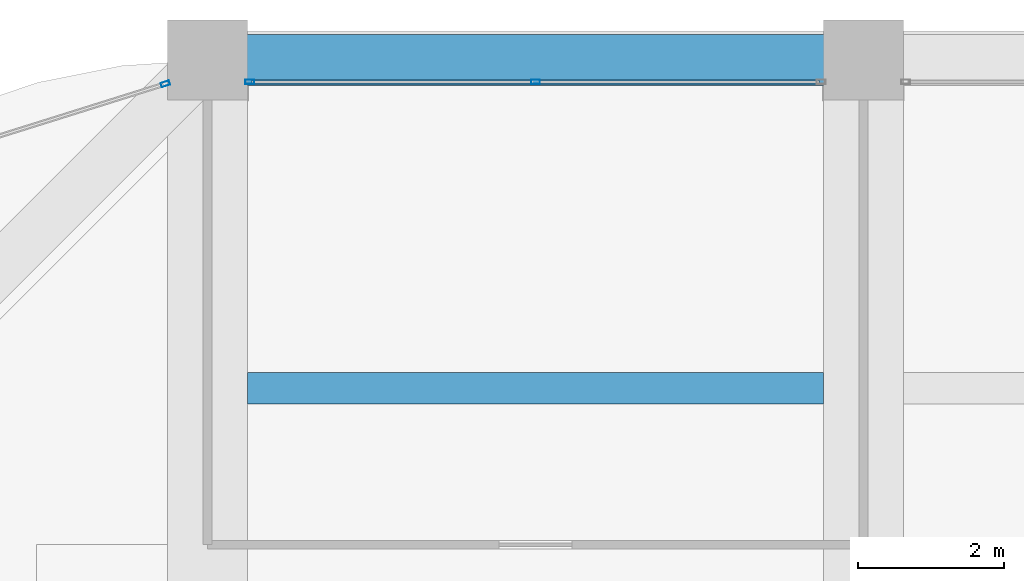
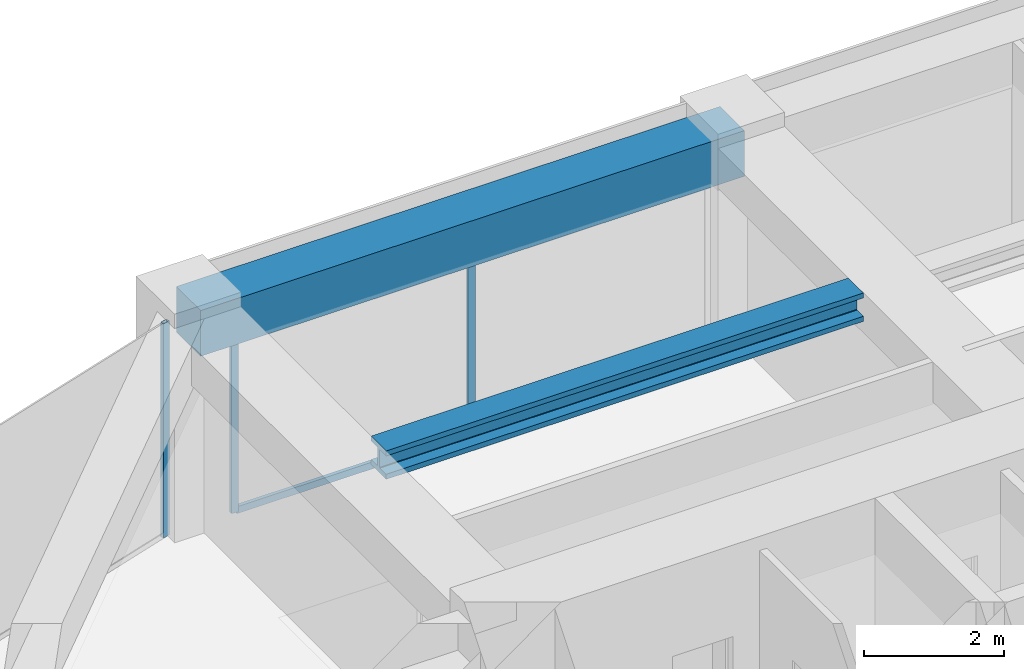
# One storey, part 31 of 44: 4 members, 2 beams, 2 elements without a shape of their own.
"""IFC4 building model written with IfcOpenShell, lengths in metres."""

import ifcopenshell
import ifcopenshell.guid

model = None  # the IFC model being written
_history = None  # IfcOwnerHistory: only IFC2X3 demands one
_inside = {}  # id of a spatial element -> (the spatial element, [elements in it])
_under = {}  # id of a project, library or spatial element -> (it, [spatial elements below it])
_declared = {}  # id of a project -> (the project, [libraries it declares])
_typed = {}  # id of a type object -> (the type object, [elements of that type])
_made_of = {}  # id of a material, layer set ... -> (it, [elements and type objects made of it])


def new_model(schema):
    """Start an empty IFC model of exactly this schema.

    Asked for "IFC4X3", IfcOpenShell would pick the latest addendum, in which some entities
    have other attributes; the version numbers below select the first issue.
    IFC2X3 requires an IfcOwnerHistory on every rooted entity: one is made here for all.
    """
    global model, _history
    if schema == "IFC4X3":
        model = ifcopenshell.file(schema_version=(4, 3, 0, 0))
    else:
        model = ifcopenshell.file(schema=schema)
    _inside.clear()
    _under.clear()
    _declared.clear()
    _typed.clear()
    _made_of.clear()
    _history = None
    if model.schema == "IFC2X3":
        org = make("IfcOrganization", Name="unknown")
        user = make(
            "IfcPersonAndOrganization",
            ThePerson=make("IfcPerson", FamilyName="unknown"),
            TheOrganization=org,
        )
        app = make(
            "IfcApplication",
            ApplicationDeveloper=org,
            Version="unknown",
            ApplicationFullName="unknown",
            ApplicationIdentifier="unknown",
        )
        _history = make(
            "IfcOwnerHistory",
            OwningUser=user,
            OwningApplication=app,
            ChangeAction="ADDED",
            CreationDate=0,
        )
    return model


def make(cls, **values):
    """One entity of the class cls with the attributes given. An attribute that is None is left unset."""
    return model.create_entity(
        cls, **{name: value for name, value in values.items() if value is not None}
    )


def rooted(cls, **values):
    """An entity with a GlobalId (a new one), such as an element, a storey or a relation."""
    return make(cls, GlobalId=ifcopenshell.guid.new(), OwnerHistory=_history, **values)


def si_unit(unit_type, name, prefix=None):
    """IfcSIUnit, for example si_unit("LENGTHUNIT", "METRE", prefix="MILLI")."""
    return make("IfcSIUnit", UnitType=unit_type, Prefix=prefix, Name=name)


def assignment(units):
    """IfcUnitAssignment: the units of a project."""
    return None if units is None else make("IfcUnitAssignment", Units=units)


def point(xyz):
    """IfcCartesianPoint."""
    return None if xyz is None else make("IfcCartesianPoint", Coordinates=xyz)


def direction(xyz):
    """IfcDirection."""
    return None if xyz is None else make("IfcDirection", DirectionRatios=xyz)


def frame(location, z_axis=None, x_axis=None):
    """IfcAxis2Placement3D, a coordinate frame: its origin and axes. An axis left out is left unset."""
    return make(
        "IfcAxis2Placement3D",
        Location=point(location),
        Axis=direction(z_axis),
        RefDirection=direction(x_axis),
    )


def frame_2d(location, x_axis=None):
    """IfcAxis2Placement2D, a coordinate frame in the plane: its origin and x axis."""
    return make(
        "IfcAxis2Placement2D", Location=point(location), RefDirection=direction(x_axis)
    )


def origin():
    """The frame at (0, 0, 0) with its axes left unset."""
    return frame((0.0, 0.0, 0.0))


def origin_2d():
    """The frame at (0, 0) in the plane with its x axis left unset."""
    return frame_2d((0.0, 0.0))


def place(relative_to, where):
    """IfcLocalPlacement: puts the frame where relative to a parent placement (None: the world)."""
    return make(
        "IfcLocalPlacement", PlacementRelTo=relative_to, RelativePlacement=where
    )


def context(
    kind, dimensions, precision=None, world=None, true_north=None, identifier=None
):
    """IfcGeometricRepresentationContext, for example the 3D "Model" context."""
    return make(
        "IfcGeometricRepresentationContext",
        ContextIdentifier=identifier,
        ContextType=kind,
        CoordinateSpaceDimension=dimensions,
        Precision=precision,
        WorldCoordinateSystem=world,
        TrueNorth=true_north,
    )


def subcontext(parent, identifier, kind, view, scale=None):
    """IfcGeometricRepresentationSubContext, for example "Body" below "Model"."""
    return make(
        "IfcGeometricRepresentationSubContext",
        ContextIdentifier=identifier,
        ContextType=kind,
        ParentContext=parent,
        TargetScale=scale,
        TargetView=view,
    )


def project(units=None, contexts=None):
    """IfcProject with its units and contexts."""
    return rooted(
        "IfcProject",
        Name="project",
        RepresentationContexts=contexts,
        UnitsInContext=assignment(units),
    )


def spatial(cls, under=None, at=None, **own):
    """A site, building, storey or space (cls), placed at a placement, below another one or the project."""
    s = rooted(cls, ObjectPlacement=at, **own)
    if under is not None:
        _under.setdefault(under.id(), (under, []))[1].append(s)
    return s


def profile(cls, at=None, kind="AREA", **sizes):
    """A parametric profile (cls). Its sizes go by their IFC names, for example OverallWidth=200.0."""
    return make(cls, ProfileType=kind, Position=at, **sizes)


def rectangle(**sizes):
    """IfcRectangleProfileDef."""
    return profile("IfcRectangleProfileDef", **sizes)


def hollow_rectangle(**sizes):
    """IfcRectangleHollowProfileDef."""
    return profile("IfcRectangleHollowProfileDef", **sizes)


def i_section(**sizes):
    """IfcIShapeProfileDef."""
    return profile("IfcIShapeProfileDef", **sizes)


def extrude(swept, where, along, depth):
    """IfcExtrudedAreaSolid: the profile swept, set in the frame where, extruded along a direction by depth."""
    return make(
        "IfcExtrudedAreaSolid",
        SweptArea=swept,
        Position=where,
        ExtrudedDirection=direction(along),
        Depth=depth,
    )


def shape(context_of_items, identifier, shape_type, items):
    """IfcShapeRepresentation: the items that make up one representation, for example the "Body"."""
    return make(
        "IfcShapeRepresentation",
        ContextOfItems=context_of_items,
        RepresentationIdentifier=identifier,
        RepresentationType=shape_type,
        Items=items,
    )


def material(Name=None, Category=None):
    """IfcMaterial."""
    return make("IfcMaterial", Name=Name, Category=Category)


def material_profile(
    of_material, cross_section, Name=None, Category=None, Priority=None
):
    """IfcMaterialProfile: a cross section and its material."""
    return make(
        "IfcMaterialProfile",
        Name=Name,
        Material=of_material,
        Profile=cross_section,
        Priority=Priority,
        Category=Category,
    )


def profile_set(profiles, Name=None, composite=None):
    """IfcMaterialProfileSet."""
    return make(
        "IfcMaterialProfileSet",
        Name=Name,
        MaterialProfiles=profiles,
        CompositeProfile=composite,
    )


def made_of(thing, what):
    """Note that an element or type object is made of a material, layer set ...; save() writes the relation."""
    if what is not None:
        _made_of.setdefault(what.id(), (what, []))[1].append(thing)
    return thing


def type_object(cls, material=None, **own):
    """A type object (cls), such as IfcWallType, which elements share."""
    return made_of(rooted(cls, **own), material)


def element(
    cls,
    number,
    at=None,
    inside=None,
    cuts=None,
    type_object=None,
    material=None,
    context=None,
    identifier="Body",
    shape_type=None,
    held_by="IfcProductDefinitionShape",
    body=None,
    shapes=None,
    **own,
):
    """One element of the class cls, such as IfcWall. Its Tag is "e" and its number.

    at: its placement. inside: the storey or other place that contains it. cuts: it is an
    opening in that element (IfcRelVoidsElement). A single representation is given by context,
    identifier, shape_type and body (its items); several are given by shapes. held_by: the class
    of the entity that holds the representations. save() writes the other relations.
    """
    e = rooted(cls, Tag="e%d" % number, ObjectPlacement=at, **own)
    if body is not None:
        shapes = [shape(context, identifier, shape_type, body)]
    if shapes is not None:
        e.Representation = make(held_by, Representations=shapes)
    if inside is not None:
        _inside.setdefault(inside.id(), (inside, []))[1].append(e)
    if cuts is not None:
        rooted(
            "IfcRelVoidsElement", RelatingBuildingElement=cuts, RelatedOpeningElement=e
        )
    if type_object is not None:
        _typed.setdefault(type_object.id(), (type_object, []))[1].append(e)
    return made_of(e, material)


def aggregate(whole, parts):
    """IfcRelAggregates: a whole, such as a stair, and the parts it consists of."""
    return rooted("IfcRelAggregates", RelatingObject=whole, RelatedObjects=parts)


def save(model, path):
    """Write the relations noted so far, then the file.

    IfcRelAggregates (storeys below a building ...), IfcRelContainedInSpatialStructure (elements
    in a storey), IfcRelDefinesByType, IfcRelAssociatesMaterial and IfcRelDeclares: one each for
    every whole, place, type object, material and project.
    """
    for whole, parts in _under.values():
        aggregate(whole, parts)
    for where, things in _inside.values():
        rooted(
            "IfcRelContainedInSpatialStructure",
            RelatedElements=things,
            RelatingStructure=where,
        )
    for kind, things in _typed.values():
        rooted("IfcRelDefinesByType", RelatedObjects=things, RelatingType=kind)
    for what, things in _made_of.values():
        rooted("IfcRelAssociatesMaterial", RelatedObjects=things, RelatingMaterial=what)
    for by, libraries in _declared.values():
        rooted("IfcRelDeclares", RelatingContext=by, RelatedDefinitions=libraries)
    model.write(path)


model = new_model("IFC4")

# Units and contexts
model_context = context("Model", 3, precision=1e-05, world=origin(), true_north=direction((0.0, 1.0)))
body_context = subcontext(model_context, "Body", "Model", "MODEL_VIEW")
ifc_project = project(units=[si_unit("LENGTHUNIT", "METRE"), si_unit("AREAUNIT", "SQUARE_METRE"), si_unit("VOLUMEUNIT", "CUBIC_METRE"), si_unit("PLANEANGLEUNIT", "RADIAN"), si_unit("MASSUNIT", "GRAM", prefix="KILO")], contexts=[model_context])

# Site, building, storey
site_placement = place(None, origin())
site = spatial("IfcSite", under=ifc_project, at=site_placement, CompositionType="ELEMENT")
building_placement = place(site_placement, origin())
building = spatial("IfcBuilding", under=site, at=building_placement, Name="Zorevar Civic Tower", CompositionType="ELEMENT")
storey_placement = place(building_placement, frame((0.0, 0.0, 255.39990234375)))
storey = spatial("IfcBuildingStorey", under=building, at=storey_placement, Name="L62", CompositionType="ELEMENT", Elevation=255.39990234375)

# Curtain wall, members
ifc_material_1 = material(Name="Dark grey solar-control glass in black aluminium frame", Category="aluminium")
curtain_wall_type = type_object("IfcCurtainWallType", Name="Curtain wall CW5 top zone", PredefinedType="NOTDEFINED", material=ifc_material_1)
curtain_wall_1_placement = place(storey_placement, origin())
curtain_wall_1 = element("IfcCurtainWall", 1, at=curtain_wall_1_placement, inside=storey, type_object=curtain_wall_type, Name="CW5 L62", PredefinedType="NOTDEFINED")
ifc_material_2 = material(Name="Aluminium, black anodised", Category="aluminium")
ifc_material_profile_1 = material_profile(ifc_material_2, hollow_rectangle(XDim=0.06005859375, YDim=0.1201171875, WallThickness=0.0029296875, at=origin_2d()), Name="AL 120x60x3")
ifc_profile_set_1 = profile_set([ifc_material_profile_1], Name="Aluminium, black anodised")
member_type_1 = type_object("IfcMemberType", Name="CW5 mullion AL 120x60x3", PredefinedType="MULLION", material=ifc_profile_set_1)
member_1_placement = place(storey_placement, frame((18.580078125, 44.699951171875, 0.0), z_axis=(0.0, 0.0, 1.0), x_axis=(0.0, 1.0, 0.0)))
member_1 = element("IfcMember", 2, at=member_1_placement, type_object=member_type_1, Name="CW5 mullion 1", PredefinedType="MULLION", context=body_context, shape_type="SweptSolid", body=[
    extrude(hollow_rectangle(XDim=0.06005859375, YDim=0.1201171875, WallThickness=0.0029296875, at=origin_2d()), origin(), (0.0, 0.0, 1.0), 2.9501953125),
])
member_2_placement = place(storey_placement, frame((22.5, 44.699951171875, 0.06005859375), z_axis=(0.0, 0.0, 1.0), x_axis=(0.0, 1.0, 0.0)))
member_2 = element("IfcMember", 3, at=member_2_placement, type_object=member_type_1, Name="CW5 mullion 2", PredefinedType="MULLION", context=body_context, shape_type="SweptSolid", body=[
    extrude(hollow_rectangle(XDim=0.06005859375, YDim=0.1201171875, WallThickness=0.0029296875, at=origin_2d()), origin(), (0.0, 0.0, 1.0), 2.89013671875),
])

# Curtain wall, member
curtain_wall_2_placement = place(storey_placement, origin())
curtain_wall_2 = element("IfcCurtainWall", 4, at=curtain_wall_2_placement, inside=storey, type_object=curtain_wall_type, Name="CW5 L62", PredefinedType="NOTDEFINED")
member_3_placement = place(storey_placement, frame((17.42138671875, 44.673583984375, 0.0), z_axis=(0.0, 0.0, 1.0), x_axis=(0.299317920238, -0.954153437674, 0.0)))
member_3 = element("IfcMember", 5, at=member_3_placement, type_object=member_type_1, Name="CW5 mullion 1", PredefinedType="MULLION", context=body_context, shape_type="SweptSolid", body=[
    extrude(hollow_rectangle(XDim=0.06005859375, YDim=0.1201171875, WallThickness=0.0029296875, at=origin_2d()), origin(), (0.0, 0.0, 1.0), 3.75),
])
aggregate(curtain_wall_2, [member_3])

# Member
ifc_material_3 = material(Name="Aluminium, black anodised", Category="aluminium")
ifc_material_profile_2 = material_profile(ifc_material_3, hollow_rectangle(XDim=0.06005859375, YDim=0.1201171875, WallThickness=0.0029296875, at=origin_2d()), Name="AL 120x60x3")
ifc_profile_set_2 = profile_set([ifc_material_profile_2], Name="Aluminium, black anodised")
member_type_2 = type_object("IfcMemberType", Name="CW5 transom AL 120x60x3", PredefinedType="USERDEFINED", material=ifc_profile_set_2)
member_4_placement = place(storey_placement, frame((18.610107421875, 44.699951171875, 0.030029296875), z_axis=(1.0, 0.0, 0.0), x_axis=(0.0, 1.0, 0.0)))
member_4 = element("IfcMember", 6, at=member_4_placement, type_object=member_type_2, Name="CW5 sill transom", ObjectType="TRANSOM", PredefinedType="USERDEFINED", context=body_context, shape_type="SweptSolid", body=[
    extrude(hollow_rectangle(XDim=0.06005859375, YDim=0.1201171875, WallThickness=0.0029296875, at=origin_2d()), origin(), (0.0, 0.0, 1.0), 7.77978515625),
])

aggregate(curtain_wall_1, [member_1, member_2, member_4])

# Beams
ifc_material_4 = material(Name="Steel S460M (HISTAR 460)", Category="steel")
ifc_material_profile_3 = material_profile(ifc_material_4, i_section(OverallWidth=0.431884765625, OverallDepth=0.498046875, WebThickness=0.0556640625, FlangeThickness=0.0888671875, FilletRadius=0.014892578125, at=origin_2d()), Name="HD 400x744")
ifc_profile_set_3 = profile_set([ifc_material_profile_3], Name="Steel S460M (HISTAR 460)")
beam_type_1 = type_object("IfcBeamType", Name="Core bay beam HD 400x744", PredefinedType="BEAM", material=ifc_profile_set_3)
beam_1_placement = place(storey_placement, frame((18.550048828125, 40.5, 3.5009765625), z_axis=(1.0, 0.0, 0.0), x_axis=(0.0, 1.0, 0.0)))
element("IfcBeam", 7, at=beam_1_placement, inside=storey, type_object=beam_type_1, Name="Secondary beam L63", PredefinedType="BEAM", context=body_context, shape_type="SweptSolid", body=[
    extrude(i_section(OverallWidth=0.431884765625, OverallDepth=0.498046875, WebThickness=0.0556640625, FlangeThickness=0.0888671875, FilletRadius=0.014892578125, at=origin_2d()), origin(), (0.0, 0.0, 1.0), 7.89990234375),
])
ifc_material_5 = material(Name="Concrete C50/60", Category="concrete")
ifc_material_profile_4 = material_profile(ifc_material_5, rectangle(XDim=0.699951171875, YDim=0.800048828125, at=origin_2d()), Name="RC 700x800")
ifc_profile_set_4 = profile_set([ifc_material_profile_4], Name="Concrete C50/60")
beam_type_2 = type_object("IfcBeamType", Name="Edge beam RC 700x800", PredefinedType="SPANDREL", material=ifc_profile_set_4)
beam_2_placement = place(storey_placement, frame((18.0, 45.0, 3.35009765625), z_axis=(1.0, 0.0, 0.0), x_axis=(0.0, 1.0, 0.0)))
element("IfcBeam", 8, at=beam_2_placement, inside=storey, type_object=beam_type_2, Name="Edge beam L63", PredefinedType="SPANDREL", context=body_context, shape_type="SweptSolid", body=[
    extrude(rectangle(XDim=0.699951171875, YDim=0.800048828125, at=origin_2d()), origin(), (0.0, 0.0, 1.0), 9.0),
])

save(model, "model.ifc")
